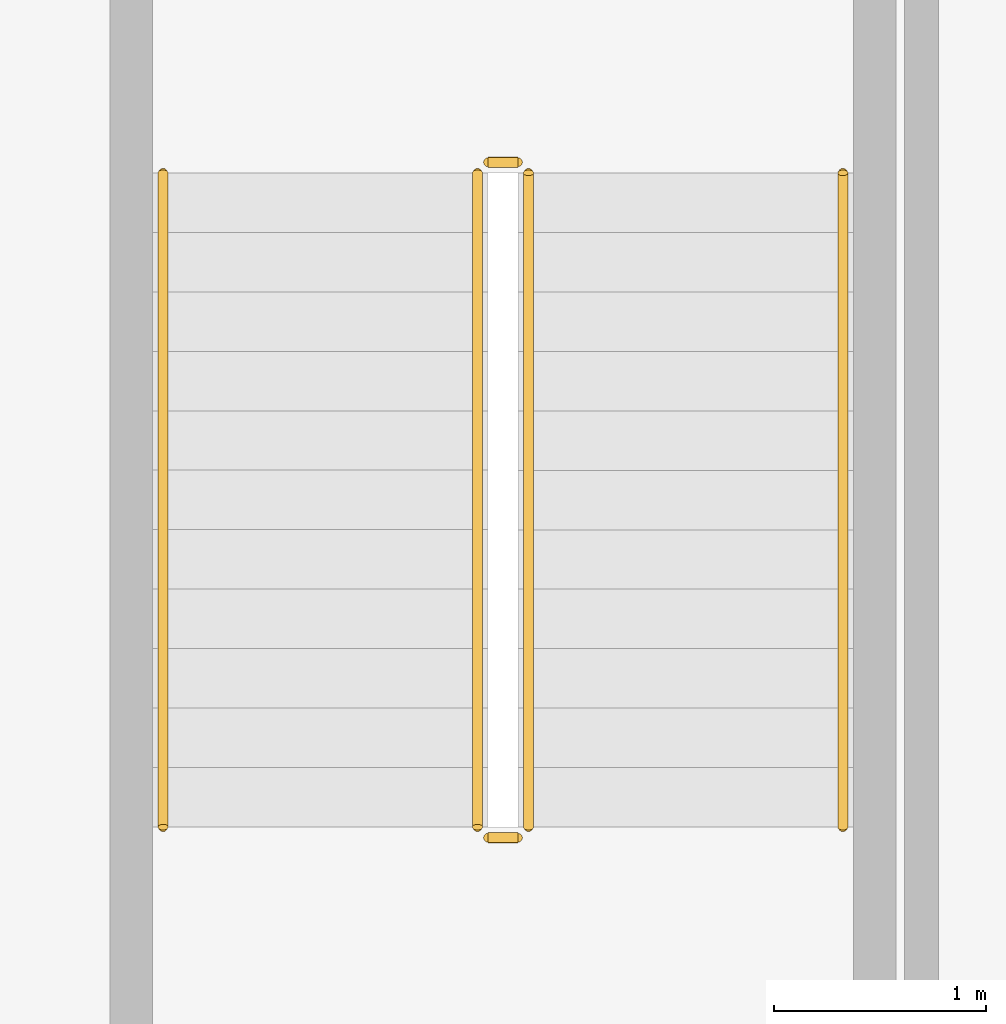
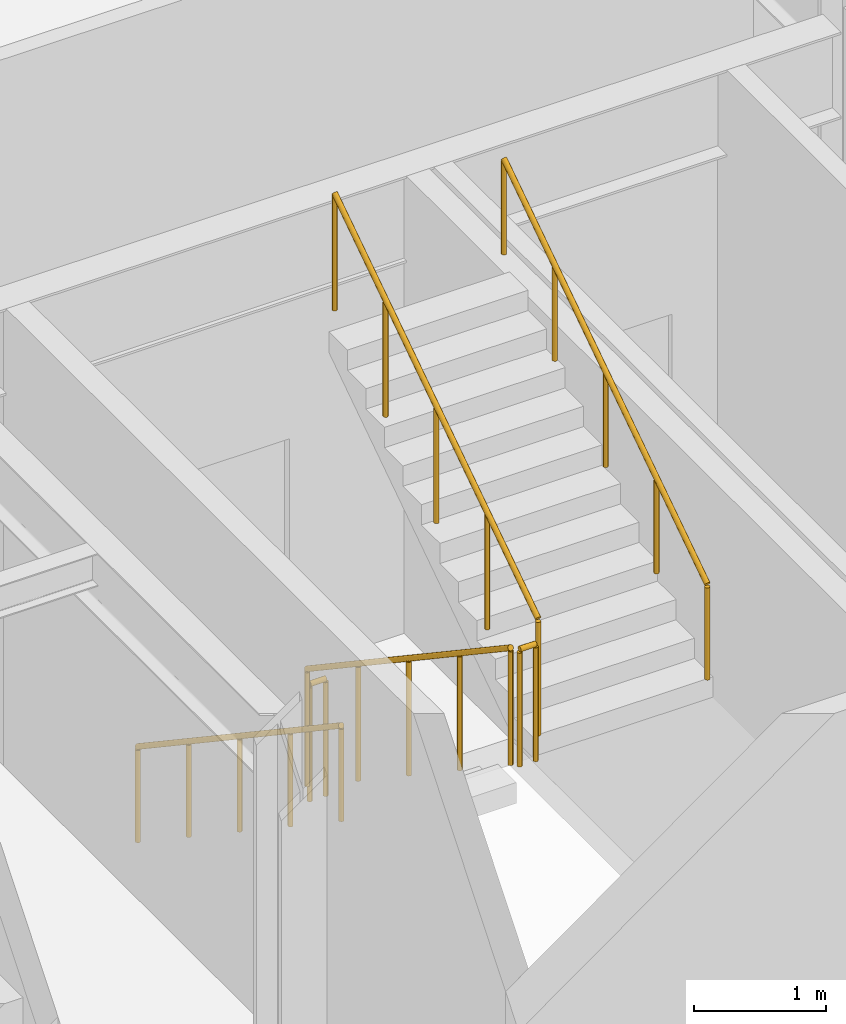
# One storey, part 21 of 26: 6 railings.
"""IFC4 building model written with IfcOpenShell, lengths in metres."""

from ifc_helpers import new_model, si_unit, direction, frame, origin, origin_2d, place, context, subcontext, project, spatial, circle, extrude, material, type_object, element, save


model = new_model("IFC4")

# Units and contexts
model_context = context("Model", 3, precision=1e-05, world=origin(), true_north=direction((0.0, 1.0)))
body_context = subcontext(model_context, "Body", "Model", "MODEL_VIEW")
ifc_project = project(units=[si_unit("LENGTHUNIT", "METRE"), si_unit("AREAUNIT", "SQUARE_METRE"), si_unit("VOLUMEUNIT", "CUBIC_METRE"), si_unit("PLANEANGLEUNIT", "RADIAN"), si_unit("MASSUNIT", "GRAM", prefix="KILO")], contexts=[model_context])

# Site, building, storey
site_placement = place(None, origin())
site = spatial("IfcSite", under=ifc_project, at=site_placement, CompositionType="ELEMENT")
building_placement = place(site_placement, origin())
building = spatial("IfcBuilding", under=site, at=building_placement, Name="Varnakote Quay Hospital", CompositionType="ELEMENT")
storey_placement = place(building_placement, origin())
storey = spatial("IfcBuildingStorey", under=building, at=storey_placement, Name="L00", CompositionType="ELEMENT", Elevation=0.0)

# Railings
ifc_material_1 = material(Name="Brushed stainless steel balustrade", Category="steel")
railing_type_1 = type_object("IfcRailingType", Name="RLG-STAIR-GUARD-1150", PredefinedType="GUARDRAIL", material=ifc_material_1)
railing_1_placement = place(storey_placement, frame((44.6298828125, 10.300048828125, 0.1875)))
element("IfcRailing", 1, at=railing_1_placement, inside=storey, type_object=railing_type_1, Name="L00 ST-03 stair guard 1", PredefinedType="GUARDRAIL", context=body_context, shape_type="SweptSolid", body=[
    extrude(circle(Radius=0.02392578125, at=origin_2d()), frame((0.0, 0.0, 1.076171875), z_axis=(0.0, -0.830913701846, 0.55640131208), x_axis=(1.0, 0.0, 0.0)), (0.0, 0.0, 1.0), 3.706787109375),
    extrude(circle(Radius=0.02099609375, at=origin_2d()), origin(), (0.0, 0.0, 1.0), 1.052001953125),
    extrude(circle(Radius=0.02099609375, at=origin_2d()), frame((0.0, -0.77001953125, 0.515625)), (0.0, 0.0, 1.0), 1.052001953125),
    extrude(circle(Radius=0.02099609375, at=origin_2d()), frame((0.0, -1.5400390625, 1.03125)), (0.0, 0.0, 1.0), 1.052001953125),
    extrude(circle(Radius=0.02099609375, at=origin_2d()), frame((0.0, -2.31005859375, 1.546875)), (0.0, 0.0, 1.0), 1.052001953125),
    extrude(circle(Radius=0.02099609375, at=origin_2d()), frame((0.0, -3.080078125, 2.0625)), (0.0, 0.0, 1.0), 1.052001953125),
])
railing_2_placement = place(storey_placement, frame((44.679931640625, 7.169921875, 2.25)))
element("IfcRailing", 2, at=railing_2_placement, inside=storey, type_object=railing_type_1, Name="L00 ST-03 stair guard 2", PredefinedType="GUARDRAIL", context=body_context, shape_type="SweptSolid", body=[
    extrude(circle(Radius=0.02392578125, at=origin_2d()), frame((0.0, 0.0, 1.076171875), z_axis=(1.0, 0.0, 0.0), x_axis=(0.0, 1.0, 0.0)), (0.0, 0.0, 1.0), 0.14013671875),
    extrude(circle(Radius=0.02099609375, at=origin_2d()), origin(), (0.0, 0.0, 1.0), 1.052001953125),
    extrude(circle(Radius=0.02099609375, at=origin_2d()), frame((0.14013671875, 0.0, 0.0)), (0.0, 0.0, 1.0), 1.052001953125),
])
railing_3_placement = place(storey_placement, frame((44.8701171875, 7.219970703125, 2.4375)))
element("IfcRailing", 3, at=railing_3_placement, inside=storey, type_object=railing_type_1, Name="L00 ST-03 stair guard 3", PredefinedType="GUARDRAIL", context=body_context, shape_type="SweptSolid", body=[
    extrude(circle(Radius=0.02392578125, at=origin_2d()), frame((0.0, 0.0, 1.076171875), z_axis=(0.0, 0.830913701846, 0.55640131208), x_axis=(-1.0, 0.0, 0.0)), (0.0, 0.0, 1.0), 3.706787109375),
    extrude(circle(Radius=0.02099609375, at=origin_2d()), origin(), (0.0, 0.0, 1.0), 1.052001953125),
    extrude(circle(Radius=0.02099609375, at=origin_2d()), frame((0.0, 0.77001953125, 0.515625)), (0.0, 0.0, 1.0), 1.052001953125),
    extrude(circle(Radius=0.02099609375, at=origin_2d()), frame((0.0, 1.5400390625, 1.03125)), (0.0, 0.0, 1.0), 1.052001953125),
    extrude(circle(Radius=0.02099609375, at=origin_2d()), frame((0.0, 2.31005859375, 1.546875)), (0.0, 0.0, 1.0), 1.052001953125),
    extrude(circle(Radius=0.02099609375, at=origin_2d()), frame((0.0, 3.080078125, 2.0625)), (0.0, 0.0, 1.0), 1.052001953125),
])
railing_4_placement = place(storey_placement, frame((44.679931640625, 10.35009765625, 0.0)))
element("IfcRailing", 4, at=railing_4_placement, inside=storey, type_object=railing_type_1, Name="L00 ST-03 stair guard 4", PredefinedType="GUARDRAIL", context=body_context, shape_type="SweptSolid", body=[
    extrude(circle(Radius=0.02392578125, at=origin_2d()), frame((0.0, 0.0, 1.076171875), z_axis=(1.0, 0.0, 0.0), x_axis=(0.0, 1.0, 0.0)), (0.0, 0.0, 1.0), 0.14013671875),
    extrude(circle(Radius=0.02099609375, at=origin_2d()), origin(), (0.0, 0.0, 1.0), 1.052001953125),
    extrude(circle(Radius=0.02099609375, at=origin_2d()), frame((0.14013671875, 0.0, 0.0)), (0.0, 0.0, 1.0), 1.052001953125),
])
ifc_material_2 = material(Name="Brushed stainless steel handrail", Category="steel")
railing_type_2 = type_object("IfcRailingType", Name="RLG-STAIR-HND-920", PredefinedType="HANDRAIL", material=ifc_material_2)
railing_5_placement = place(storey_placement, frame((43.14990234375, 10.300048828125, 0.1875)))
element("IfcRailing", 5, at=railing_5_placement, inside=storey, type_object=railing_type_2, Name="L00 ST-03 stair handrail 1", PredefinedType="HANDRAIL", context=body_context, shape_type="SweptSolid", body=[
    extrude(circle(Radius=0.02392578125, at=origin_2d()), frame((0.0, 0.0, 0.8759765625), z_axis=(0.0, -0.830913701846, 0.55640131208), x_axis=(1.0, 0.0, 0.0)), (0.0, 0.0, 1.0), 3.706787109375),
    extrude(circle(Radius=0.02099609375, at=origin_2d()), origin(), (0.0, 0.0, 1.0), 0.851806640625),
    extrude(circle(Radius=0.02099609375, at=origin_2d()), frame((0.0, -0.77001953125, 0.515625)), (0.0, 0.0, 1.0), 0.851806640625),
    extrude(circle(Radius=0.02099609375, at=origin_2d()), frame((0.0, -1.5400390625, 1.03125)), (0.0, 0.0, 1.0), 0.851806640625),
    extrude(circle(Radius=0.02099609375, at=origin_2d()), frame((0.0, -2.31005859375, 1.546875)), (0.0, 0.0, 1.0), 0.851806640625),
    extrude(circle(Radius=0.02099609375, at=origin_2d()), frame((0.0, -3.080078125, 2.0625)), (0.0, 0.0, 1.0), 0.851806640625),
])
railing_6_placement = place(storey_placement, frame((46.35009765625, 7.219970703125, 2.4375)))
element("IfcRailing", 6, at=railing_6_placement, inside=storey, type_object=railing_type_2, Name="L00 ST-03 stair handrail 2", PredefinedType="HANDRAIL", context=body_context, shape_type="SweptSolid", body=[
    extrude(circle(Radius=0.02392578125, at=origin_2d()), frame((0.0, 0.0, 0.8759765625), z_axis=(0.0, 0.830913701846, 0.55640131208), x_axis=(-1.0, 0.0, 0.0)), (0.0, 0.0, 1.0), 3.706787109375),
    extrude(circle(Radius=0.02099609375, at=origin_2d()), origin(), (0.0, 0.0, 1.0), 0.851806640625),
    extrude(circle(Radius=0.02099609375, at=origin_2d()), frame((0.0, 0.77001953125, 0.515625)), (0.0, 0.0, 1.0), 0.851806640625),
    extrude(circle(Radius=0.02099609375, at=origin_2d()), frame((0.0, 1.5400390625, 1.03125)), (0.0, 0.0, 1.0), 0.851806640625),
    extrude(circle(Radius=0.02099609375, at=origin_2d()), frame((0.0, 2.31005859375, 1.546875)), (0.0, 0.0, 1.0), 0.851806640625),
    extrude(circle(Radius=0.02099609375, at=origin_2d()), frame((0.0, 3.080078125, 2.0625)), (0.0, 0.0, 1.0), 0.851806640625),
])

save(model, "model.ifc")
